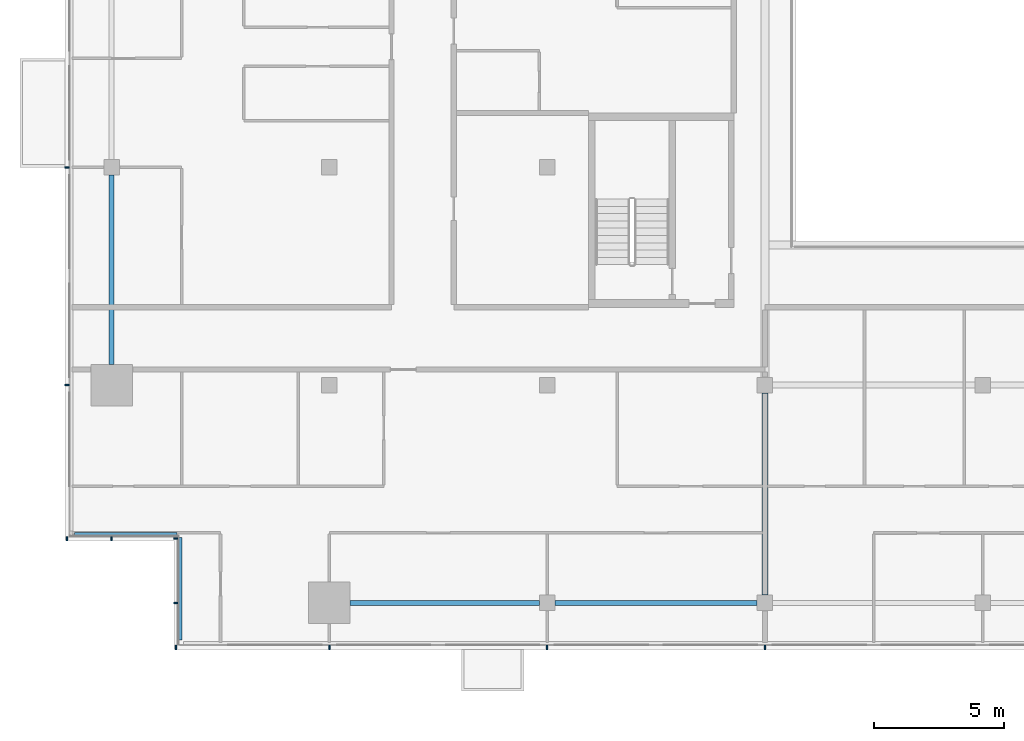
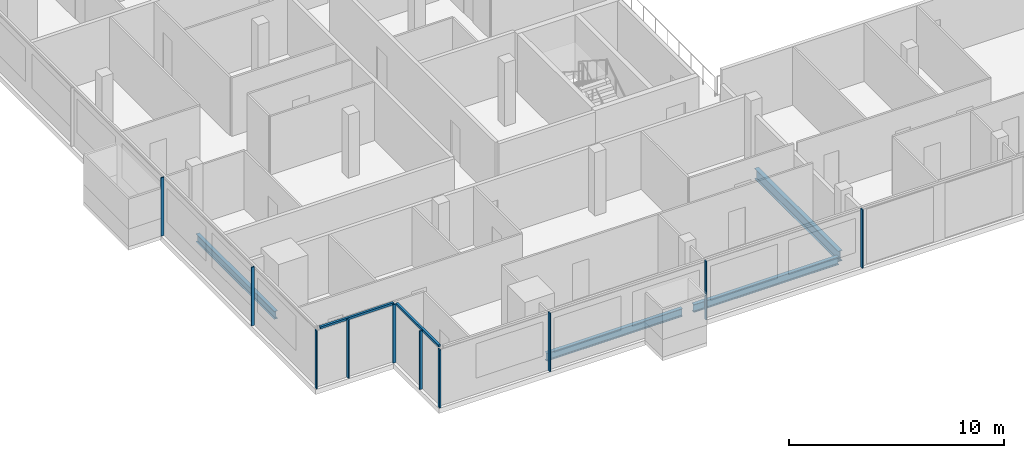
# One storey, part 2 of 27: 12 members, 4 beams, 4 elements without a shape of their own.
"""IFC4 building model written with IfcOpenShell, lengths in metres."""

from ifc_helpers import new_model, si_unit, direction, frame, origin, origin_2d, place, context, subcontext, project, spatial, rectangle, i_section, extrude, material, material_profile, profile_set, type_object, element, aggregate, save


model = new_model("IFC4")

# Units and contexts
model_context = context("Model", 3, precision=1e-05, world=origin(), true_north=direction((0.0, 1.0)))
body_context = subcontext(model_context, "Body", "Model", "MODEL_VIEW")
ifc_project = project(units=[si_unit("LENGTHUNIT", "METRE"), si_unit("AREAUNIT", "SQUARE_METRE"), si_unit("VOLUMEUNIT", "CUBIC_METRE"), si_unit("PLANEANGLEUNIT", "RADIAN"), si_unit("MASSUNIT", "GRAM", prefix="KILO")], contexts=[model_context])

# Site, building, storey
site_placement = place(None, origin())
site = spatial("IfcSite", under=ifc_project, at=site_placement, CompositionType="ELEMENT")
building_placement = place(site_placement, origin())
building = spatial("IfcBuilding", under=site, at=building_placement, Name="Saffron Gate Tower", CompositionType="ELEMENT")
storey_placement = place(building_placement, frame((0.0, 0.0, 234.300048828125)))
storey = spatial("IfcBuildingStorey", under=building, at=storey_placement, Name="L57", CompositionType="ELEMENT", Elevation=234.300048828125)

# Beams
ifc_material_1 = material(Name="Structural steel S355", Category="steel")
ifc_material_profile_1 = material_profile(ifc_material_1, i_section(OverallWidth=0.219970703125, OverallDepth=0.60009765625, WebThickness=0.011962890625, FlangeThickness=0.01904296875, FilletRadius=0.02392578125, at=origin_2d()))
ifc_profile_set_1 = profile_set([ifc_material_profile_1], Name="Structural steel S355")
beam_type_1 = type_object("IfcBeamType", Name="B15 IPE 600", PredefinedType="BEAM", material=ifc_profile_set_1)
beam_1_placement = place(storey_placement, frame((75.0, 32.10009765625, -0.580078125), z_axis=(0.0, 1.0, 0.0), x_axis=(-1.0, 0.0, 0.0)))
element("IfcBeam", 1, at=beam_1_placement, inside=storey, type_object=beam_type_1, Name="B15 FLOOR GIRDER", PredefinedType="BEAM", context=body_context, shape_type="SweptSolid", body=[
    extrude(i_section(OverallWidth=0.219970703125, OverallDepth=0.60009765625, WebThickness=0.011962890625, FlangeThickness=0.01904296875, FilletRadius=0.02392578125, at=origin_2d()), origin(), (0.0, 0.0, 1.0), 7.7998046875),
])
ifc_material_profile_2 = material_profile(ifc_material_1, i_section(OverallWidth=0.18994140625, OverallDepth=0.449951171875, WebThickness=0.009521484375, FlangeThickness=0.0146484375, FilletRadius=0.02099609375, at=origin_2d()))
ifc_profile_set_2 = profile_set([ifc_material_profile_2], Name="Structural steel S355")
beam_type_2 = type_object("IfcBeamType", Name="B7 IPE 450", PredefinedType="SPANDREL", material=ifc_profile_set_2)
for number, where, z_axis, x_axis, name in (
    (2, (49.800048828125, 41.0, -0.505126953125), (0.0, 1.0, 0.0), (-1.0, 0.0, 0.0), "B7 SPANDREL BEAM"),
    (3, (59.0, 31.800048828125, -0.505126953125), (1.0, 0.0, 0.0), (0.0, 1.0, 0.0), "B7 SPANDREL BEAM"),
):
    element("IfcBeam", number, at=place(storey_placement, frame(where, z_axis=z_axis, x_axis=x_axis)), inside=storey, type_object=beam_type_2, Name=name, PredefinedType="SPANDREL", context=body_context, shape_type="SweptSolid", body=[
        extrude(i_section(OverallWidth=0.18994140625, OverallDepth=0.449951171875, WebThickness=0.009521484375, FlangeThickness=0.0146484375, FilletRadius=0.02099609375, at=origin_2d()), origin(), (0.0, 0.0, 1.0), 7.300048828125),
    ])
beam_2_placement = place(storey_placement, frame((66.89990234375, 31.800048828125, -0.505126953125), z_axis=(1.0, 0.0, 0.0), x_axis=(0.0, 1.0, 0.0)))
element("IfcBeam", 4, at=beam_2_placement, inside=storey, type_object=beam_type_2, Name="B7 SPANDREL BEAM", PredefinedType="SPANDREL", context=body_context, shape_type="SweptSolid", body=[
    extrude(i_section(OverallWidth=0.18994140625, OverallDepth=0.449951171875, WebThickness=0.009521484375, FlangeThickness=0.0146484375, FilletRadius=0.02099609375, at=origin_2d()), origin(), (0.0, 0.0, 1.0), 7.800048828125),
])

# Curtain wall, members
ifc_material_2 = material(Name="Aluminium, bronze anodised", Category="aluminium")
curtain_wall_type_1 = type_object("IfcCurtainWallType", Name="CWS1 curtain wall front facade", PredefinedType="NOTDEFINED", material=ifc_material_2)
curtain_wall_1_placement = place(storey_placement, origin())
curtain_wall_1 = element("IfcCurtainWall", 5, at=curtain_wall_1_placement, inside=storey, type_object=curtain_wall_type_1, Name="CWS1 run 1", PredefinedType="NOTDEFINED")
ifc_material_profile_3 = material_profile(ifc_material_2, rectangle(XDim=0.159912109375, YDim=0.06005859375, at=origin_2d()))
ifc_profile_set_3 = profile_set([ifc_material_profile_3], Name="Aluminium, bronze anodised")
member_type_1 = type_object("IfcMemberType", Name="CWS1 mullion 60x160", PredefinedType="MULLION", material=ifc_profile_set_3)
member_1_placement = place(storey_placement, frame((52.280029296875, 30.080078125, 0.0), z_axis=(0.0, 0.0, 1.0), x_axis=(0.0, 1.0, 0.0)))
member_1 = element("IfcMember", 6, at=member_1_placement, type_object=member_type_1, Name="CWS1 mullion 1", PredefinedType="MULLION", context=body_context, shape_type="SweptSolid", body=[
    extrude(rectangle(XDim=0.159912109375, YDim=0.06005859375, at=origin_2d()), origin(), (0.0, 0.0, 1.0), 3.320068359375),
])
member_2_placement = place(storey_placement, frame((58.199951171875, 30.080078125, 0.0), z_axis=(0.0, 0.0, 1.0), x_axis=(0.0, 1.0, 0.0)))
member_2 = element("IfcMember", 7, at=member_2_placement, type_object=member_type_1, Name="CWS1 mullion 2", PredefinedType="MULLION", context=body_context, shape_type="SweptSolid", body=[
    extrude(rectangle(XDim=0.159912109375, YDim=0.06005859375, at=origin_2d()), origin(), (0.0, 0.0, 1.0), 3.320068359375),
])
member_3_placement = place(storey_placement, frame((66.60009765625, 30.080078125, 0.0), z_axis=(0.0, 0.0, 1.0), x_axis=(0.0, 1.0, 0.0)))
member_3 = element("IfcMember", 8, at=member_3_placement, type_object=member_type_1, Name="CWS1 mullion 3", PredefinedType="MULLION", context=body_context, shape_type="SweptSolid", body=[
    extrude(rectangle(XDim=0.159912109375, YDim=0.06005859375, at=origin_2d()), origin(), (0.0, 0.0, 1.0), 3.320068359375),
])
member_4_placement = place(storey_placement, frame((75.0, 30.080078125, 0.0), z_axis=(0.0, 0.0, 1.0), x_axis=(0.0, 1.0, 0.0)))
member_4 = element("IfcMember", 9, at=member_4_placement, type_object=member_type_1, Name="CWS1 mullion 4", PredefinedType="MULLION", context=body_context, shape_type="SweptSolid", body=[
    extrude(rectangle(XDim=0.159912109375, YDim=0.06005859375, at=origin_2d()), origin(), (0.0, 0.0, 1.0), 3.320068359375),
])
aggregate(curtain_wall_1, [member_1, member_2, member_3, member_4])

curtain_wall_type_2 = type_object("IfcCurtainWallType", Name="CWS2 curtain wall side facades", PredefinedType="NOTDEFINED", material=ifc_material_2)
curtain_wall_2_placement = place(storey_placement, origin())
curtain_wall_2 = element("IfcCurtainWall", 10, at=curtain_wall_2_placement, inside=storey, type_object=curtain_wall_type_2, Name="CWS2 run 10", PredefinedType="NOTDEFINED")
ifc_material_profile_4 = material_profile(ifc_material_2, rectangle(XDim=0.159912109375, YDim=0.06005859375, at=origin_2d()))
ifc_profile_set_4 = profile_set([ifc_material_profile_4], Name="Aluminium, bronze anodised")
member_type_2 = type_object("IfcMemberType", Name="CWS2 mullion 60x160", PredefinedType="MULLION", material=ifc_profile_set_4)
member_5_placement = place(storey_placement, frame((48.080078125, 48.60009765625, 0.0), z_axis=(0.0, 0.0, 1.0), x_axis=(1.0, 0.0, 0.0)))
member_5 = element("IfcMember", 11, at=member_5_placement, type_object=member_type_2, Name="CWS2 mullion 4", PredefinedType="MULLION", context=body_context, shape_type="SweptSolid", body=[
    extrude(rectangle(XDim=0.159912109375, YDim=0.06005859375, at=origin_2d()), origin(), (0.0, 0.0, 1.0), 3.320068359375),
])
member_6_placement = place(storey_placement, frame((48.080078125, 40.199951171875, 0.0), z_axis=(0.0, 0.0, 1.0), x_axis=(1.0, 0.0, 0.0)))
member_6 = element("IfcMember", 12, at=member_6_placement, type_object=member_type_2, Name="CWS2 mullion 5", PredefinedType="MULLION", context=body_context, shape_type="SweptSolid", body=[
    extrude(rectangle(XDim=0.159912109375, YDim=0.06005859375, at=origin_2d()), origin(), (0.0, 0.0, 1.0), 3.320068359375),
])
aggregate(curtain_wall_2, [member_5, member_6])

# Curtain wall, member
curtain_wall_type_3 = type_object("IfcCurtainWallType", Name="CWS4 curtain wall corner returns", PredefinedType="NOTDEFINED", material=ifc_material_2)
curtain_wall_3_placement = place(storey_placement, origin())
curtain_wall_3 = element("IfcCurtainWall", 13, at=curtain_wall_3_placement, inside=storey, type_object=curtain_wall_type_3, Name="CWS4 run 11", PredefinedType="NOTDEFINED")
ifc_material_profile_5 = material_profile(ifc_material_2, rectangle(XDim=0.1201171875, YDim=0.1201171875, at=origin_2d()))
ifc_profile_set_5 = profile_set([ifc_material_profile_5], Name="Aluminium, bronze anodised")
member_type_3 = type_object("IfcMemberType", Name="CWS4 head transom", PredefinedType="USERDEFINED", material=ifc_profile_set_5)
member_7_placement = place(storey_placement, frame((48.367919921875, 34.447998046875, 3.260009765625), z_axis=(1.0, 0.0, 0.0), x_axis=(0.0, 1.0, 0.0)))
member_7 = element("IfcMember", 14, at=member_7_placement, type_object=member_type_3, Name="CWS4 head transom", ObjectType="TRANSOM", PredefinedType="USERDEFINED", context=body_context, shape_type="SweptSolid", body=[
    extrude(rectangle(XDim=0.1201171875, YDim=0.1201171875, at=origin_2d()), origin(), (0.0, 0.0, 1.0), 3.9599609375),
])

curtain_wall_4_placement = place(storey_placement, origin())
curtain_wall_4 = element("IfcCurtainWall", 15, at=curtain_wall_4_placement, inside=storey, type_object=curtain_wall_type_3, Name="CWS4 run 12", PredefinedType="NOTDEFINED")
member_8_placement = place(storey_placement, frame((52.447998046875, 34.327880859375, 3.260009765625), z_axis=(0.0, -1.0, 0.0), x_axis=(1.0, 0.0, 0.0)))
member_8 = element("IfcMember", 16, at=member_8_placement, type_object=member_type_3, Name="CWS4 head transom", ObjectType="TRANSOM", PredefinedType="USERDEFINED", context=body_context, shape_type="SweptSolid", body=[
    extrude(rectangle(XDim=0.1201171875, YDim=0.1201171875, at=origin_2d()), origin(), (0.0, 0.0, 1.0), 3.9599609375),
])

# Member
ifc_material_profile_6 = material_profile(ifc_material_2, rectangle(XDim=0.159912109375, YDim=0.06005859375, at=origin_2d()))
ifc_profile_set_6 = profile_set([ifc_material_profile_6], Name="Aluminium, bronze anodised")
member_type_4 = type_object("IfcMemberType", Name="CWS4 mullion 60x160", PredefinedType="MULLION", material=ifc_profile_set_6)
member_9_placement = place(storey_placement, frame((48.080078125, 34.280029296875, 0.0), z_axis=(0.0, 0.0, 1.0), x_axis=(0.0, 1.0, 0.0)))
member_9 = element("IfcMember", 17, at=member_9_placement, type_object=member_type_4, Name="CWS4 mullion 1", PredefinedType="MULLION", context=body_context, shape_type="SweptSolid", body=[
    extrude(rectangle(XDim=0.159912109375, YDim=0.06005859375, at=origin_2d()), origin(), (0.0, 0.0, 1.0), 3.320068359375),
])

member_10_placement = place(storey_placement, frame((49.800048828125, 34.280029296875, 0.0), z_axis=(0.0, 0.0, 1.0), x_axis=(0.0, 1.0, 0.0)))
member_10 = element("IfcMember", 18, at=member_10_placement, type_object=member_type_4, Name="CWS4 mullion 2", PredefinedType="MULLION", context=body_context, shape_type="SweptSolid", body=[
    extrude(rectangle(XDim=0.159912109375, YDim=0.06005859375, at=origin_2d()), origin(), (0.0, 0.0, 1.0), 3.320068359375),
])

aggregate(curtain_wall_3, [member_9, member_10, member_7])

member_11_placement = place(storey_placement, frame((52.280029296875, 34.280029296875, 0.0), z_axis=(0.0, 0.0, 1.0), x_axis=(1.0, 0.0, 0.0)))
member_11 = element("IfcMember", 19, at=member_11_placement, type_object=member_type_4, Name="CWS4 mullion 1", PredefinedType="MULLION", context=body_context, shape_type="SweptSolid", body=[
    extrude(rectangle(XDim=0.159912109375, YDim=0.06005859375, at=origin_2d()), origin(), (0.0, 0.0, 1.0), 3.320068359375),
])

member_12_placement = place(storey_placement, frame((52.280029296875, 31.800048828125, 0.0), z_axis=(0.0, 0.0, 1.0), x_axis=(1.0, 0.0, 0.0)))
member_12 = element("IfcMember", 20, at=member_12_placement, type_object=member_type_4, Name="CWS4 mullion 2", PredefinedType="MULLION", context=body_context, shape_type="SweptSolid", body=[
    extrude(rectangle(XDim=0.159912109375, YDim=0.06005859375, at=origin_2d()), origin(), (0.0, 0.0, 1.0), 3.320068359375),
])

aggregate(curtain_wall_4, [member_11, member_12, member_8])

save(model, "model.ifc")
